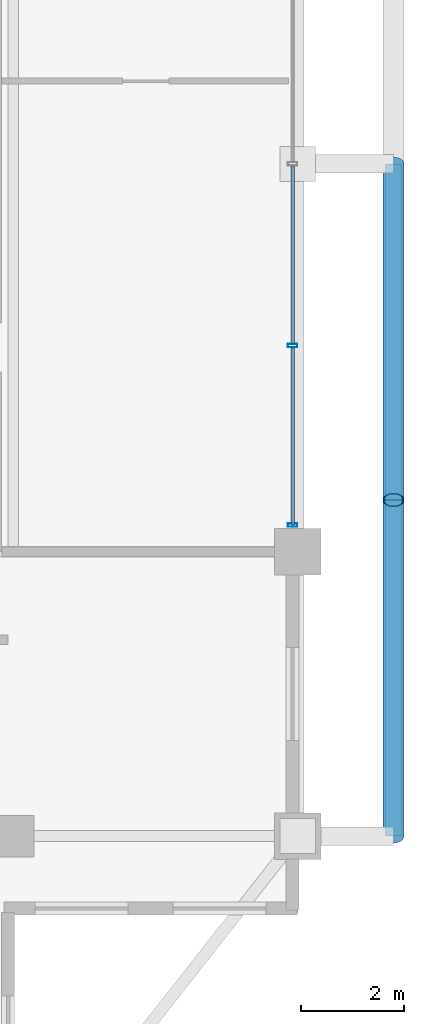
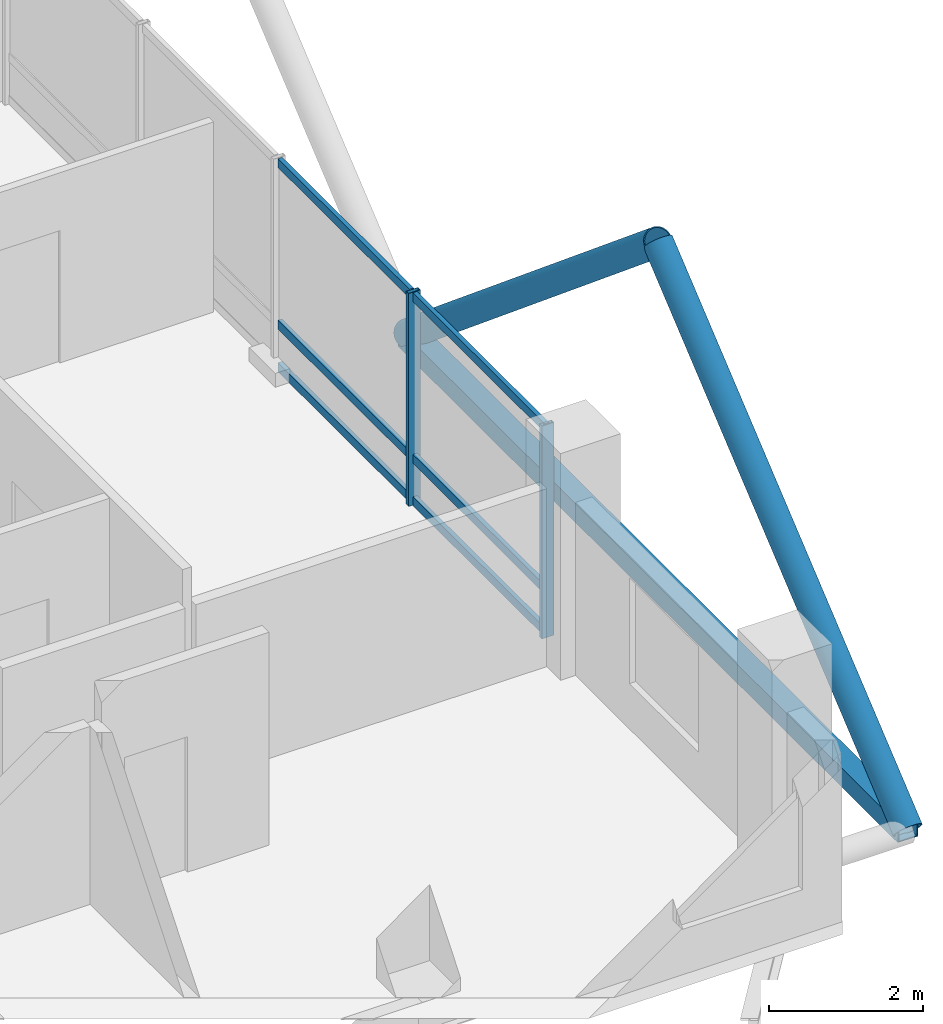
# One storey, part 12 of 24: 11 members, 1 element without a shape of its own.
"""IFC4 building model written with IfcOpenShell, lengths in metres."""

from ifc_helpers import new_model, si_unit, direction, frame, origin, origin_2d, place, context, subcontext, project, spatial, hollow_rectangle, hollow_circle, extrude, material, layer, layer_set, material_profile, profile_set, type_object, element, aggregate, save


model = new_model("IFC4")

# Units and contexts
model_context = context("Model", 3, precision=1e-05, world=origin(), true_north=direction((0.0, 1.0)))
body_context = subcontext(model_context, "Body", "Model", "MODEL_VIEW")
ifc_project = project(units=[si_unit("LENGTHUNIT", "METRE"), si_unit("AREAUNIT", "SQUARE_METRE"), si_unit("VOLUMEUNIT", "CUBIC_METRE"), si_unit("PLANEANGLEUNIT", "RADIAN"), si_unit("MASSUNIT", "GRAM", prefix="KILO")], contexts=[model_context])

# Site, building, storey
site_placement = place(None, origin())
site = spatial("IfcSite", under=ifc_project, at=site_placement, CompositionType="ELEMENT")
building_placement = place(site_placement, origin())
building = spatial("IfcBuilding", under=site, at=building_placement, Name="Barlavira Tower and Art Museum", CompositionType="ELEMENT")
storey_placement = place(building_placement, frame((0.0, 0.0, 294.300048828125)))
storey = spatial("IfcBuildingStorey", under=building, at=storey_placement, Name="L77", CompositionType="ELEMENT", Elevation=294.300048828125)

# Curtain wall, members
ifc_material_1 = material(Name="Low-iron coastal laminated glass", Category="glass")
ifc_layer = layer(ifc_material_1, 0.2099609375, Name="Low-iron coastal laminated glass")
ifc_layer_set = layer_set([ifc_layer], Name="Low-iron coastal laminated glass")
curtain_wall_type = type_object("IfcCurtainWallType", Name="Pale-Metal Unitised Curtain Wall Zone 4", PredefinedType="NOTDEFINED", material=ifc_layer_set)
curtain_wall_placement = place(storey_placement, origin())
curtain_wall = element("IfcCurtainWall", 1, at=curtain_wall_placement, inside=storey, type_object=curtain_wall_type, Name="L77 Curtain Wall CW4-L77-E-B3", PredefinedType="NOTDEFINED")
ifc_material_2 = material(Name="Pale anodised aluminium", Category="aluminium")
ifc_material_profile_1 = material_profile(ifc_material_2, hollow_rectangle(XDim=0.06494140625, YDim=0.179931640625, WallThickness=0.00390625, at=origin_2d()), Name="ALU-MULL 65x180x4")
ifc_profile_set_1 = profile_set([ifc_material_profile_1], Name="Pale anodised aluminium")
member_type_1 = type_object("IfcMemberType", Name="Curtain Wall Pale-Metal Mullion 65x180", PredefinedType="MULLION", material=ifc_profile_set_1)
member_1_placement = place(storey_placement, frame((16.89990234375, -6.985107421875, 0.0), z_axis=(0.0, 0.0, 1.0), x_axis=(0.0, 1.0, 0.0)))
member_1 = element("IfcMember", 2, at=member_1_placement, type_object=member_type_1, Name="CW4-L77-E-B3 Mullion 0", PredefinedType="MULLION", context=body_context, shape_type="SweptSolid", body=[
    extrude(hollow_rectangle(XDim=0.06494140625, YDim=0.179931640625, WallThickness=0.00390625, at=origin_2d()), origin(), (0.0, 0.0, 1.0), 3.3798828125),
])
member_2_placement = place(storey_placement, frame((16.89990234375, -3.514892578125, 0.0), z_axis=(0.0, 0.0, 1.0), x_axis=(0.0, 1.0, 0.0)))
member_2 = element("IfcMember", 3, at=member_2_placement, type_object=member_type_1, Name="CW4-L77-E-B3 Mullion 1", PredefinedType="MULLION", context=body_context, shape_type="SweptSolid", body=[
    extrude(hollow_rectangle(XDim=0.06494140625, YDim=0.179931640625, WallThickness=0.00390625, at=origin_2d()), origin(), (0.0, 0.0, 1.0), 3.3798828125),
])
ifc_material_profile_2 = material_profile(ifc_material_2, hollow_rectangle(XDim=0.06494140625, YDim=0.139892578125, WallThickness=0.00390625, at=origin_2d()), Name="ALU-TRAN 65x140x4")
ifc_profile_set_2 = profile_set([ifc_material_profile_2], Name="Pale anodised aluminium")
member_type_2 = type_object("IfcMemberType", Name="Curtain Wall Pale-Metal Transom 65x140", PredefinedType="USERDEFINED", material=ifc_profile_set_2)
member_3_placement = place(storey_placement, frame((16.89990234375, -6.985107421875, 0.070068359375), z_axis=(0.0, 1.0, 0.0), x_axis=(-1.0, 0.0, 0.0)))
member_3 = element("IfcMember", 4, at=member_3_placement, type_object=member_type_2, Name="CW4-L77-E-B3 Transom 0.1", ObjectType="TRANSOM", PredefinedType="USERDEFINED", context=body_context, shape_type="SweptSolid", body=[
    extrude(hollow_rectangle(XDim=0.06494140625, YDim=0.139892578125, WallThickness=0.00390625, at=origin_2d()), origin(), (0.0, 0.0, 1.0), 3.425048828125),
])
member_4_placement = place(storey_placement, frame((16.89990234375, -6.985107421875, 0.743896484375), z_axis=(0.0, 1.0, 0.0), x_axis=(-1.0, 0.0, 0.0)))
member_4 = element("IfcMember", 5, at=member_4_placement, type_object=member_type_2, Name="CW4-L77-E-B3 Transom 0.2", ObjectType="TRANSOM", PredefinedType="USERDEFINED", context=body_context, shape_type="SweptSolid", body=[
    extrude(hollow_rectangle(XDim=0.06494140625, YDim=0.139892578125, WallThickness=0.00390625, at=origin_2d()), origin(), (0.0, 0.0, 1.0), 3.425048828125),
])
member_5_placement = place(storey_placement, frame((16.89990234375, -6.985107421875, 3.31005859375), z_axis=(0.0, 1.0, 0.0), x_axis=(-1.0, 0.0, 0.0)))
member_5 = element("IfcMember", 6, at=member_5_placement, type_object=member_type_2, Name="CW4-L77-E-B3 Transom 0.3", ObjectType="TRANSOM", PredefinedType="USERDEFINED", context=body_context, shape_type="SweptSolid", body=[
    extrude(hollow_rectangle(XDim=0.06494140625, YDim=0.139892578125, WallThickness=0.00390625, at=origin_2d()), origin(), (0.0, 0.0, 1.0), 3.425048828125),
])
member_6_placement = place(storey_placement, frame((16.89990234375, -3.469970703125, 0.070068359375), z_axis=(0.0, 1.0, 0.0), x_axis=(-1.0, 0.0, 0.0)))
member_6 = element("IfcMember", 7, at=member_6_placement, type_object=member_type_2, Name="CW4-L77-E-B3 Transom 1.1", ObjectType="TRANSOM", PredefinedType="USERDEFINED", context=body_context, shape_type="SweptSolid", body=[
    extrude(hollow_rectangle(XDim=0.06494140625, YDim=0.139892578125, WallThickness=0.00390625, at=origin_2d()), origin(), (0.0, 0.0, 1.0), 3.425048828125),
])
member_7_placement = place(storey_placement, frame((16.89990234375, -3.469970703125, 0.743896484375), z_axis=(0.0, 1.0, 0.0), x_axis=(-1.0, 0.0, 0.0)))
member_7 = element("IfcMember", 8, at=member_7_placement, type_object=member_type_2, Name="CW4-L77-E-B3 Transom 1.2", ObjectType="TRANSOM", PredefinedType="USERDEFINED", context=body_context, shape_type="SweptSolid", body=[
    extrude(hollow_rectangle(XDim=0.06494140625, YDim=0.139892578125, WallThickness=0.00390625, at=origin_2d()), origin(), (0.0, 0.0, 1.0), 3.425048828125),
])
member_8_placement = place(storey_placement, frame((16.89990234375, -3.469970703125, 3.31005859375), z_axis=(0.0, 1.0, 0.0), x_axis=(-1.0, 0.0, 0.0)))
member_8 = element("IfcMember", 9, at=member_8_placement, type_object=member_type_2, Name="CW4-L77-E-B3 Transom 1.3", ObjectType="TRANSOM", PredefinedType="USERDEFINED", context=body_context, shape_type="SweptSolid", body=[
    extrude(hollow_rectangle(XDim=0.06494140625, YDim=0.139892578125, WallThickness=0.00390625, at=origin_2d()), origin(), (0.0, 0.0, 1.0), 3.425048828125),
])
aggregate(curtain_wall, [member_1, member_2, member_3, member_4, member_5, member_6, member_7, member_8])

# Members
ifc_material_3 = material(Name="Steel S355", Category="steel")
ifc_material_profile_3 = material_profile(ifc_material_3, hollow_circle(Radius=0.203125, WallThickness=0.01611328125, at=origin_2d()), Name="CHS 406.4x16.0")
ifc_profile_set_3 = profile_set([ifc_material_profile_3], Name="Steel S355")
member_type_3 = type_object("IfcMemberType", Name="Pale-Metal Exoskeleton Diagrid Tube CHS 406x16 Steel S355", PredefinedType="BRACE", material=ifc_profile_set_3)
for number, where, z_axis, x_axis, name in (
    (10, (18.85009765625, -13.0, -0.1201171875), (0.0, 0.76918185268, 0.639029950399), (-1.0, 0.0, 0.0), "L77 Exoskeleton Diagrid Tube E"),
    (11, (18.85009765625, 0.0, -0.1201171875), (0.0, -0.76918185268, 0.639029950399), (1.0, 0.0, 0.0), "L77 Exoskeleton Diagrid Tube E"),
):
    element("IfcMember", number, at=place(storey_placement, frame(where, z_axis=z_axis, x_axis=x_axis)), inside=storey, type_object=member_type_3, Name=name, PredefinedType="BRACE", context=body_context, shape_type="SweptSolid", body=[
        extrude(hollow_circle(Radius=0.203125, WallThickness=0.01611328125, at=origin_2d()), origin(), (0.0, 0.0, 1.0), 8.450439453125),
    ])
ifc_material_profile_4 = material_profile(ifc_material_3, hollow_rectangle(XDim=0.300048828125, YDim=0.300048828125, WallThickness=0.01611328125, at=origin_2d()), Name="SHS 300x300x16.0")
ifc_profile_set_4 = profile_set([ifc_material_profile_4], Name="Steel S355")
member_type_4 = type_object("IfcMemberType", Name="Pale-Metal Upper Ring Strut SHS 300x300x16 Steel S355", PredefinedType="STRUT", material=ifc_profile_set_4)
member_9_placement = place(storey_placement, frame((18.85009765625, -13.0, -0.1201171875), z_axis=(0.0, 1.0, 0.0), x_axis=(-1.0, 0.0, 0.0)))
element("IfcMember", 12, at=member_9_placement, inside=storey, type_object=member_type_4, Name="L77 Exoskeleton Ring Strut E", PredefinedType="STRUT", context=body_context, shape_type="SweptSolid", body=[
    extrude(hollow_rectangle(XDim=0.300048828125, YDim=0.300048828125, WallThickness=0.01611328125, at=origin_2d()), origin(), (0.0, 0.0, 1.0), 13.0),
])

save(model, "model.ifc")
